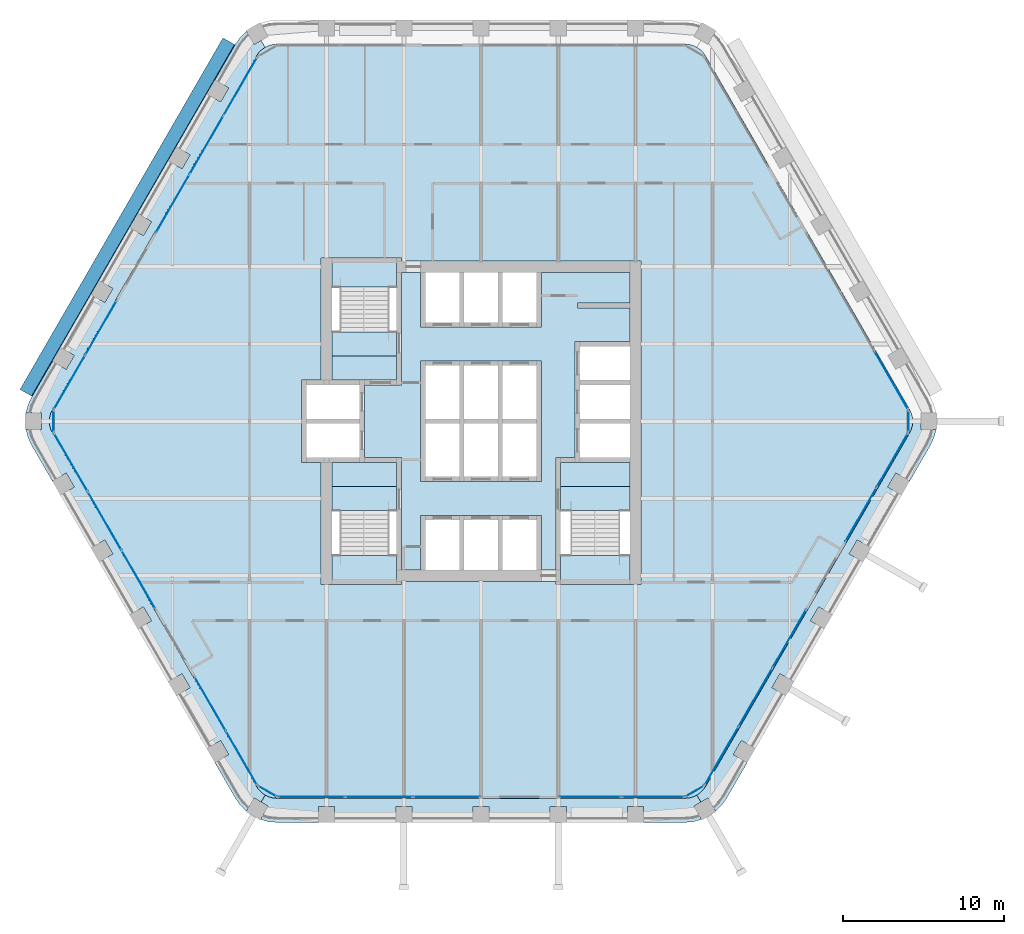
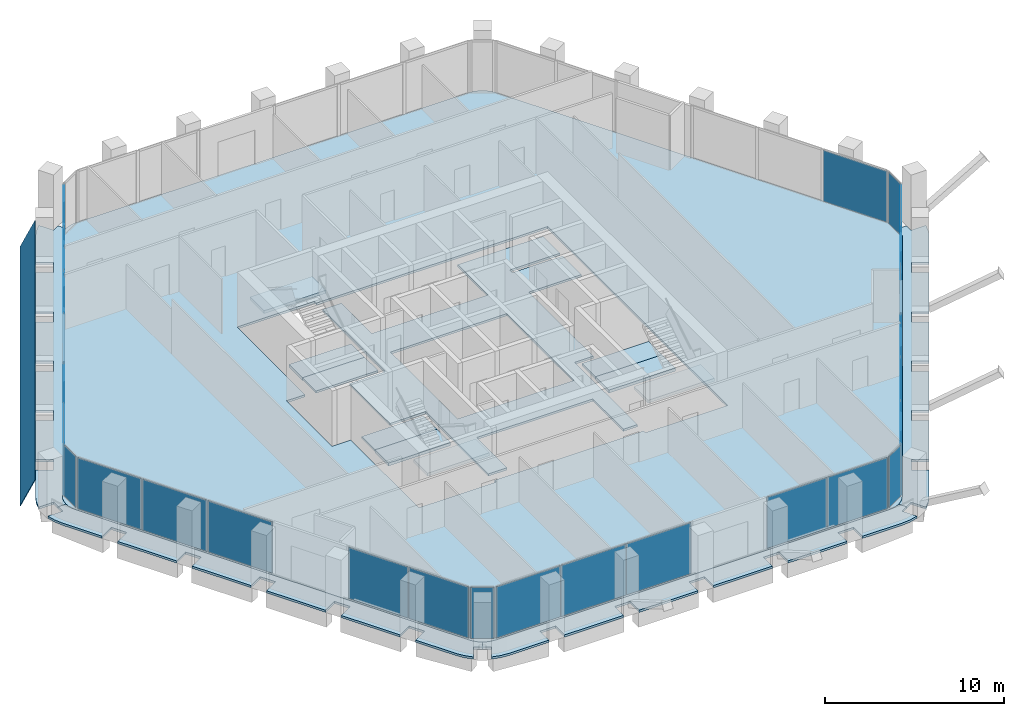
# One storey, part 8 of 16: 26 plates, 15 slabs, 16 elements without a shape of their own.
"""IFC4 building model written with IfcOpenShell, lengths in metres."""

from ifc_helpers import new_model, si_unit, direction, frame, origin, origin_2d, place, context, subcontext, project, spatial, polyline, rectangle, outline, extrude, material, layer, layer_set, type_object, element, aggregate, save


model = new_model("IFC4")

# Units and contexts
model_context = context("Model", 3, precision=1e-05, world=origin(), true_north=direction((0.0, 1.0)))
body_context = subcontext(model_context, "Body", "Model", "MODEL_VIEW")
ifc_project = project(units=[si_unit("LENGTHUNIT", "METRE"), si_unit("AREAUNIT", "SQUARE_METRE"), si_unit("VOLUMEUNIT", "CUBIC_METRE"), si_unit("PLANEANGLEUNIT", "RADIAN"), si_unit("MASSUNIT", "GRAM", prefix="KILO")], contexts=[model_context])

# Site, building, storey
site_placement = place(None, origin())
site = spatial("IfcSite", under=ifc_project, at=site_placement, CompositionType="ELEMENT")
building_placement = place(site_placement, origin())
building = spatial("IfcBuilding", under=site, at=building_placement, Name="Kolab Exchange Tower", CompositionType="ELEMENT")
storey_placement = place(building_placement, frame((0.0, 0.0, 193.39990234375)))
storey = spatial("IfcBuildingStorey", under=building, at=storey_placement, Name="L41", CompositionType="ELEMENT", Elevation=193.39990234375)

# Slabs
ifc_material_1 = material(Name="Concrete C35/45", Category="concrete")
ifc_layer_1 = layer(ifc_material_1, 0.14990234375)
ifc_layer_set_1 = layer_set([ifc_layer_1], Name="Concrete C35/45")
slab_type_1 = type_object("IfcSlabType", Name="FLOOR SLAB 150", PredefinedType="FLOOR", material=ifc_layer_set_1)
slab_1_placement = place(storey_placement, frame((0.0, 0.0, -0.14990234375)))
element("IfcSlab", 1, at=slab_1_placement, inside=storey, type_object=slab_type_1, Name="slab/L41/floor/0", PredefinedType="FLOOR", context=body_context, shape_type="SweptSolid", body=[
    extrude(outline(polyline([(13.967041015625, -22.691650390625), (26.635009765625, -0.75), (26.745361328125, -0.512939453125), (26.81298828125, -0.260498046875), (26.8359375, 0.0), (26.81298828125, 0.260498046875), (26.745361328125, 0.512939453125), (26.635009765625, 0.75), (13.967041015625, 22.691650390625), (13.81689453125, 22.90576171875), (13.632080078125, 23.090576171875), (13.41796875, 23.240478515625), (13.180908203125, 23.35107421875), (12.928466796875, 23.418701171875), (12.66796875, 23.441650390625), (-12.66796875, 23.441650390625), (-12.928466796875, 23.418701171875), (-13.180908203125, 23.35107421875), (-13.41796875, 23.240478515625), (-13.632080078125, 23.090576171875), (-13.81689453125, 22.90576171875), (-13.967041015625, 22.691650390625), (-26.635009765625, 0.75), (-26.745361328125, 0.512939453125), (-26.81298828125, 0.260498046875), (-26.8359375, 0.0), (-26.81298828125, -0.260498046875), (-26.745361328125, -0.512939453125), (-26.635009765625, -0.75), (-13.967041015625, -22.691650390625), (-13.81689453125, -22.90576171875), (-13.632080078125, -23.090576171875), (-13.41796875, -23.240478515625), (-13.180908203125, -23.35107421875), (-12.928466796875, -23.418701171875), (-12.66796875, -23.441650390625), (12.66796875, -23.441650390625), (12.928466796875, -23.418701171875), (13.180908203125, -23.35107421875), (13.41796875, -23.240478515625), (13.632080078125, -23.090576171875), (13.81689453125, -22.90576171875), (13.967041015625, -22.691650390625)]), holes=[polyline([(-9.25, -10.14990234375), (-9.949951171875, -10.14990234375), (-9.949951171875, -2.550048828125), (-10.85009765625, -2.550048828125), (-11.14990234375, -2.550048828125), (-11.14990234375, 2.550048828125), (-10.85009765625, 2.550048828125), (-9.949951171875, 2.550048828125), (-9.949951171875, 10.14990234375), (-9.25, 10.14990234375), (-5.25, 10.14990234375), (-4.949951171875, 10.14990234375), (-4.949951171875, 9.949951171875), (9.25, 9.949951171875), (9.949951171875, 9.949951171875), (9.949951171875, -10.14990234375), (9.25, -10.14990234375), (4.949951171875, -10.14990234375), (4.64990234375, -10.14990234375), (4.64990234375, -9.949951171875), (-4.949951171875, -9.949951171875), (-4.949951171875, -10.14990234375), (-5.25, -10.14990234375), (-9.25, -10.14990234375)])]), origin(), (0.0, 0.0, 1.0), 0.14990234375),
])
slab_2_placement = place(storey_placement, frame((0.0, 0.0, -0.14990234375)))
element("IfcSlab", 2, at=slab_2_placement, inside=storey, type_object=slab_type_1, Name="slab/L41/floor/1", PredefinedType="FLOOR", context=body_context, shape_type="SweptSolid", body=[
    extrude(outline(polyline([(-4.949951171875, 9.25), (-4.949951171875, 2.25), (-5.25, 2.25), (-7.25, 2.25), (-7.25, -2.25), (-5.25, -2.25), (-4.949951171875, -2.25), (-4.949951171875, -9.25), (-3.75, -9.25), (-3.75, -5.85009765625), (-3.449951171875, -5.85009765625), (-1.35009765625, -5.85009765625), (-1.050048828125, -5.85009765625), (1.050048828125, -5.85009765625), (1.35009765625, -5.85009765625), (3.449951171875, -5.85009765625), (3.75, -5.85009765625), (3.75, -9.25), (4.64990234375, -9.25), (4.64990234375, -2.25), (4.949951171875, -2.25), (5.85009765625, -2.25), (5.85009765625, 4.949951171875), (6.14990234375, 4.949951171875), (9.25, 4.949951171875), (9.25, 7.050048828125), (6.0, 7.050048828125), (6.0, 7.35009765625), (9.25, 7.35009765625), (9.25, 9.25), (3.75, 9.25), (3.75, 5.85009765625), (3.449951171875, 5.85009765625), (1.35009765625, 5.85009765625), (1.050048828125, 5.85009765625), (-1.050048828125, 5.85009765625), (-1.35009765625, 5.85009765625), (-3.449951171875, 5.85009765625), (-3.75, 5.85009765625), (-3.75, 9.25), (-4.949951171875, 9.25)]), holes=[polyline([(-3.449951171875, -3.75), (-3.75, -3.75), (-3.75, 3.75), (-3.449951171875, 3.75), (-1.35009765625, 3.75), (-1.050048828125, 3.75), (1.050048828125, 3.75), (1.35009765625, 3.75), (3.449951171875, 3.75), (3.75, 3.75), (3.75, -3.75), (3.449951171875, -3.75), (1.35009765625, -3.75), (1.050048828125, -3.75), (-1.050048828125, -3.75), (-1.35009765625, -3.75), (-3.449951171875, -3.75)])]), origin(), (0.0, 0.0, 1.0), 0.14990234375),
])
slab_3_placement = place(storey_placement, frame((0.0, 0.0, -0.14990234375)))
element("IfcSlab", 3, at=slab_3_placement, inside=storey, type_object=slab_type_1, Name="slab/L41/floor/2", PredefinedType="FLOOR", context=body_context, shape_type="SweptSolid", body=[
    extrude(outline(polyline([(4.949951171875, -4.050048828125), (9.25, -4.050048828125), (9.25, -2.550048828125), (6.14990234375, -2.550048828125), (5.85009765625, -2.550048828125), (4.949951171875, -2.550048828125), (4.949951171875, -4.050048828125)])), origin(), (0.0, 0.0, 1.0), 0.14990234375),
])
slab_4_placement = place(storey_placement, frame((0.0, 0.0, -0.14990234375)))
element("IfcSlab", 4, at=slab_4_placement, inside=storey, type_object=slab_type_1, Name="slab/L41/floor/3", PredefinedType="FLOOR", context=body_context, shape_type="SweptSolid", body=[
    extrude(outline(polyline([(-7.550048828125, -2.550048828125), (-9.25, -2.550048828125), (-9.25, -4.050048828125), (-5.25, -4.050048828125), (-5.25, -2.550048828125), (-7.25, -2.550048828125), (-7.550048828125, -2.550048828125)])), origin(), (0.0, 0.0, 1.0), 0.14990234375),
])
slab_5_placement = place(storey_placement, frame((0.0, 0.0, -0.14990234375)))
element("IfcSlab", 5, at=slab_5_placement, inside=storey, type_object=slab_type_1, Name="slab/L41/floor/4", PredefinedType="FLOOR", context=body_context, shape_type="SweptSolid", body=[
    extrude(outline(polyline([(-9.25, 2.550048828125), (-7.550048828125, 2.550048828125), (-7.25, 2.550048828125), (-5.25, 2.550048828125), (-5.25, 4.050048828125), (-9.25, 4.050048828125), (-9.25, 2.550048828125)])), origin(), (0.0, 0.0, 1.0), 0.14990234375),
])
ifc_layer_2 = layer(ifc_material_1, 0.14990234375)
ifc_layer_set_2 = layer_set([ifc_layer_2], Name="Concrete C35/45")
slab_type_2 = type_object("IfcSlabType", Name="LOGGIA SLAB 150", PredefinedType="FLOOR", material=ifc_layer_set_2)
slab_6_placement = place(storey_placement, frame((0.0, 0.0, -0.14990234375)))
element("IfcSlab", 6, at=slab_6_placement, inside=storey, type_object=slab_type_2, Name="slab/L41/loggia/2-0", PredefinedType="FLOOR", context=body_context, shape_type="SweptSolid", body=[
    extrude(outline(polyline([(15.26611328125, -23.441650390625), (16.550048828125, -21.217529296875), (15.68408203125, -20.717529296875), (16.18408203125, -19.8515625), (17.050048828125, -20.3515625), (18.949951171875, -17.060791015625), (18.083984375, -16.560791015625), (18.583984375, -15.694580078125), (19.449951171875, -16.194580078125), (21.35009765625, -12.90380859375), (20.48388671875, -12.40380859375), (20.98388671875, -11.537841796875), (21.85009765625, -12.037841796875), (23.75, -8.746826171875), (22.884033203125, -8.246826171875), (23.384033203125, -7.380859375), (24.25, -7.880859375), (26.14990234375, -4.58984375), (25.283935546875, -4.08984375), (25.783935546875, -3.223876953125), (26.64990234375, -3.723876953125), (27.93408203125, -1.5), (28.155029296875, -1.026123046875), (28.290283203125, -0.52099609375), (28.292236328125, -0.5), (27.3359375, -0.5), (27.3359375, 0.0), (26.8359375, 0.0), (26.81298828125, -0.260498046875), (26.745361328125, -0.512939453125), (26.635009765625, -0.75), (13.967041015625, -22.691650390625), (13.81689453125, -22.90576171875), (13.632080078125, -23.090576171875), (13.41796875, -23.240478515625), (13.66796875, -23.673583984375), (14.10107421875, -23.423583984375), (14.5791015625, -24.251708984375), (14.59619140625, -24.23974609375), (14.966064453125, -23.869873046875), (15.26611328125, -23.441650390625)])), origin(), (0.0, 0.0, 1.0), 0.14990234375),
])
slab_7_placement = place(storey_placement, frame((0.0, 0.0, -0.14990234375)))
element("IfcSlab", 7, at=slab_7_placement, inside=storey, type_object=slab_type_2, Name="slab/L41/loggia/3-0", PredefinedType="FLOOR", context=body_context, shape_type="SweptSolid", body=[
    extrude(outline(polyline([(-13.41796875, -23.240478515625), (-13.66796875, -23.673583984375), (-13.23486328125, -23.923583984375), (-13.713134765625, -24.751708984375), (-13.694091796875, -24.760498046875), (-13.18896484375, -24.89599609375), (-12.66796875, -24.941650390625), (-10.10009765625, -24.941650390625), (-10.10009765625, -23.941650390625), (-9.10009765625, -23.941650390625), (-9.10009765625, -24.941650390625), (-5.300048828125, -24.941650390625), (-5.300048828125, -23.941650390625), (-4.300048828125, -23.941650390625), (-4.300048828125, -24.941650390625), (-0.5, -24.941650390625), (-0.5, -23.941650390625), (0.5, -23.941650390625), (0.5, -24.941650390625), (4.300048828125, -24.941650390625), (4.300048828125, -23.941650390625), (5.300048828125, -23.941650390625), (5.300048828125, -24.941650390625), (9.10009765625, -24.941650390625), (9.10009765625, -23.941650390625), (10.10009765625, -23.941650390625), (10.10009765625, -24.941650390625), (12.66796875, -24.941650390625), (13.18896484375, -24.89599609375), (13.694091796875, -24.760498046875), (13.713134765625, -24.751708984375), (13.23486328125, -23.923583984375), (13.66796875, -23.673583984375), (13.41796875, -23.240478515625), (13.180908203125, -23.35107421875), (12.928466796875, -23.418701171875), (12.66796875, -23.441650390625), (-12.66796875, -23.441650390625), (-12.928466796875, -23.418701171875), (-13.180908203125, -23.35107421875), (-13.41796875, -23.240478515625)])), origin(), (0.0, 0.0, 1.0), 0.14990234375),
])
slab_8_placement = place(storey_placement, frame((0.0, 0.0, -0.14990234375)))
element("IfcSlab", 8, at=slab_8_placement, inside=storey, type_object=slab_type_2, Name="slab/L41/loggia/4-0", PredefinedType="FLOOR", context=body_context, shape_type="SweptSolid", body=[
    extrude(outline(polyline([(-26.8359375, 0.0), (-27.3359375, 0.0), (-27.3359375, -0.5), (-28.292236328125, -0.5), (-28.290283203125, -0.52099609375), (-28.155029296875, -1.026123046875), (-27.93408203125, -1.5), (-26.64990234375, -3.723876953125), (-25.783935546875, -3.223876953125), (-25.283935546875, -4.08984375), (-26.14990234375, -4.58984375), (-24.25, -7.880859375), (-23.384033203125, -7.380859375), (-22.884033203125, -8.246826171875), (-23.75, -8.746826171875), (-21.85009765625, -12.037841796875), (-20.98388671875, -11.537841796875), (-20.48388671875, -12.40380859375), (-21.35009765625, -12.90380859375), (-19.449951171875, -16.194580078125), (-18.583984375, -15.694580078125), (-18.083984375, -16.560791015625), (-18.949951171875, -17.060791015625), (-17.050048828125, -20.3515625), (-16.18408203125, -19.8515625), (-15.68408203125, -20.717529296875), (-16.550048828125, -21.217529296875), (-15.26611328125, -23.441650390625), (-14.966064453125, -23.869873046875), (-14.59619140625, -24.23974609375), (-14.5791015625, -24.251708984375), (-14.10107421875, -23.423583984375), (-13.66796875, -23.673583984375), (-13.41796875, -23.240478515625), (-13.632080078125, -23.090576171875), (-13.81689453125, -22.90576171875), (-13.967041015625, -22.691650390625), (-26.635009765625, -0.75), (-26.745361328125, -0.512939453125), (-26.81298828125, -0.260498046875), (-26.8359375, 0.0)])), origin(), (0.0, 0.0, 1.0), 0.14990234375),
])
slab_9_placement = place(storey_placement, frame((0.0, 0.0, -0.14990234375)))
element("IfcSlab", 9, at=slab_9_placement, inside=storey, type_object=slab_type_2, Name="slab/L41/loggia/5-0", PredefinedType="FLOOR", context=body_context, shape_type="SweptSolid", body=[
    extrude(outline(polyline([(-13.41796875, 23.240478515625), (-13.66796875, 23.673583984375), (-14.10107421875, 23.423583984375), (-14.5791015625, 24.251708984375), (-14.59619140625, 24.23974609375), (-14.966064453125, 23.869873046875), (-15.26611328125, 23.441650390625), (-16.550048828125, 21.217529296875), (-15.68408203125, 20.717529296875), (-16.18408203125, 19.8515625), (-17.050048828125, 20.3515625), (-18.949951171875, 17.060791015625), (-18.083984375, 16.560791015625), (-18.583984375, 15.694580078125), (-19.449951171875, 16.194580078125), (-21.35009765625, 12.90380859375), (-20.48388671875, 12.40380859375), (-20.98388671875, 11.537841796875), (-21.85009765625, 12.037841796875), (-23.75, 8.746826171875), (-22.884033203125, 8.246826171875), (-23.384033203125, 7.380859375), (-24.25, 7.880859375), (-26.14990234375, 4.58984375), (-25.283935546875, 4.08984375), (-25.783935546875, 3.223876953125), (-26.64990234375, 3.723876953125), (-27.93408203125, 1.5), (-28.155029296875, 1.026123046875), (-28.290283203125, 0.52099609375), (-28.292236328125, 0.5), (-27.3359375, 0.5), (-27.3359375, 0.0), (-26.8359375, 0.0), (-26.81298828125, 0.260498046875), (-26.745361328125, 0.512939453125), (-26.635009765625, 0.75), (-13.967041015625, 22.691650390625), (-13.81689453125, 22.90576171875), (-13.632080078125, 23.090576171875), (-13.41796875, 23.240478515625)])), origin(), (0.0, 0.0, 1.0), 0.14990234375),
])

# Plate
ifc_material_2 = material(Name="Laminated glass, clear", Category="glass")
ifc_layer_3 = layer(ifc_material_2, 0.0400390625)
ifc_layer_set_3 = layer_set([ifc_layer_3], Name="Laminated glass, clear")
plate_type_1 = type_object("IfcPlateType", Name="OUTER SKIN LAMINATED GLASS SHEET 40", PredefinedType="SHEET", material=ifc_layer_set_3)
plate_1_placement = place(storey_placement, frame((-28.658203125, 1.975830078125, -0.68310546875), z_axis=(-0.784898656704, 0.453161865271, 0.422585402693), x_axis=(0.499999968995, 0.866025421685, -9.26315e-07)))
element("IfcPlate", 10, at=plate_1_placement, inside=storey, type_object=plate_type_1, Name="Outer skin", PredefinedType="SHEET", context=body_context, shape_type="SweptSolid", body=[
    extrude(outline(polyline([(0.0, 0.0), (25.23592824607872, 0.0), (25.23580178082614, -1.96134386267648), (8.496673513263058e-05, -1.9612922777250188), (0.0, 0.0)])), origin(), (0.0, 0.0, -1.0), 0.0400390625),
])

# Stair, slabs
ifc_material_3 = material(Name="Concrete C50/60", Category="concrete")
stair_type_1 = type_object("IfcStairType", Name="STAIR ST1 RISER 177.3", PredefinedType="HALF_TURN_STAIR", material=ifc_material_3)
stair_1_placement = place(storey_placement, origin())
stair_1 = element("IfcStair", 11, at=stair_1_placement, inside=storey, type_object=stair_type_1, Name="Stair 1", PredefinedType="HALF_TURN_STAIR")
ifc_layer_4 = layer(ifc_material_3, 0.199951171875)
ifc_layer_set_4 = layer_set([ifc_layer_4], Name="Concrete C50/60")
slab_type_3 = type_object("IfcSlabType", Name="STAIR LANDING 200", PredefinedType="LANDING", material=ifc_layer_set_4)
slab_10_placement = place(storey_placement, frame((0.0, 0.0, -0.199951171875)))
slab_10 = element("IfcSlab", 12, at=slab_10_placement, type_object=slab_type_3, Name="ST1 landing 1", PredefinedType="LANDING", context=body_context, shape_type="SweptSolid", body=[
    extrude(outline(polyline([(-9.25, 4.050048828125), (-5.25, 4.050048828125), (-5.25, 5.550048828125), (-9.25, 5.550048828125), (-9.25, 4.050048828125)])), origin(), (0.0, 0.0, 1.0), 0.199951171875),
])
slab_11_placement = place(storey_placement, frame((0.0, 0.0, 1.75)))
slab_11 = element("IfcSlab", 13, at=slab_11_placement, type_object=slab_type_3, Name="ST1 landing 2", PredefinedType="LANDING", context=body_context, shape_type="SweptSolid", body=[
    extrude(outline(polyline([(-9.25, 8.35009765625), (-5.25, 8.35009765625), (-5.25, 9.909912109375), (-9.25, 9.909912109375), (-9.25, 8.35009765625)])), origin(), (0.0, 0.0, 1.0), 0.2001953125),
])
aggregate(stair_1, [slab_10, slab_11])

stair_type_2 = type_object("IfcStairType", Name="STAIR ST3 RISER 177.3", PredefinedType="HALF_TURN_STAIR", material=ifc_material_3)
stair_2_placement = place(storey_placement, origin())
stair_2 = element("IfcStair", 14, at=stair_2_placement, inside=storey, type_object=stair_type_2, Name="Stair 3", PredefinedType="HALF_TURN_STAIR")
slab_12_placement = place(storey_placement, frame((0.0, 0.0, -0.199951171875)))
slab_12 = element("IfcSlab", 15, at=slab_12_placement, type_object=slab_type_3, Name="ST3 landing 1", PredefinedType="LANDING", context=body_context, shape_type="SweptSolid", body=[
    extrude(outline(polyline([(-9.25, -5.550048828125), (-5.25, -5.550048828125), (-5.25, -4.050048828125), (-9.25, -4.050048828125), (-9.25, -5.550048828125)])), origin(), (0.0, 0.0, 1.0), 0.199951171875),
])
slab_13_placement = place(storey_placement, frame((0.0, 0.0, 1.75)))
slab_13 = element("IfcSlab", 16, at=slab_13_placement, type_object=slab_type_3, Name="ST3 landing 2", PredefinedType="LANDING", context=body_context, shape_type="SweptSolid", body=[
    extrude(outline(polyline([(-9.25, -9.909912109375), (-5.25, -9.909912109375), (-5.25, -8.35009765625), (-9.25, -8.35009765625), (-9.25, -9.909912109375)])), origin(), (0.0, 0.0, 1.0), 0.2001953125),
])
aggregate(stair_2, [slab_12, slab_13])

stair_type_3 = type_object("IfcStairType", Name="STAIR ST2 RISER 177.3", PredefinedType="HALF_TURN_STAIR", material=ifc_material_3)
stair_3_placement = place(storey_placement, origin())
stair_3 = element("IfcStair", 17, at=stair_3_placement, inside=storey, type_object=stair_type_3, Name="Stair 2", PredefinedType="HALF_TURN_STAIR")
slab_14_placement = place(storey_placement, frame((0.0, 0.0, -0.199951171875)))
slab_14 = element("IfcSlab", 18, at=slab_14_placement, type_object=slab_type_3, Name="ST2 landing 1", PredefinedType="LANDING", context=body_context, shape_type="SweptSolid", body=[
    extrude(outline(polyline([(4.949951171875, -5.550048828125), (9.25, -5.550048828125), (9.25, -4.050048828125), (4.949951171875, -4.050048828125), (4.949951171875, -5.550048828125)])), origin(), (0.0, 0.0, 1.0), 0.199951171875),
])
slab_15_placement = place(storey_placement, frame((0.0, 0.0, 1.75)))
slab_15 = element("IfcSlab", 19, at=slab_15_placement, type_object=slab_type_3, Name="ST2 landing 2", PredefinedType="LANDING", context=body_context, shape_type="SweptSolid", body=[
    extrude(outline(polyline([(4.949951171875, -9.909912109375), (9.25, -9.909912109375), (9.25, -8.35009765625), (4.949951171875, -8.35009765625), (4.949951171875, -9.909912109375)])), origin(), (0.0, 0.0, 1.0), 0.2001953125),
])
aggregate(stair_3, [slab_14, slab_15])

# Curtain wall, plate
ifc_material_4 = material(Name="Aluminium EN AW-6063 T6", Category="aluminium")
curtain_wall_type = type_object("IfcCurtainWallType", Name="UNITISED UPPER MID ZONE CURTAIN WALL", PredefinedType="NOTDEFINED", material=ifc_material_4)
curtain_wall_1_placement = place(storey_placement, origin())
curtain_wall_1 = element("IfcCurtainWall", 20, at=curtain_wall_1_placement, inside=storey, type_object=curtain_wall_type, Name="cw/L41/F2-2", PredefinedType="NOTDEFINED")
ifc_material_5 = material(Name="Clear insulated glazing unit", Category="glass")
ifc_layer_5 = layer(ifc_material_5, 0.028076171875)
ifc_layer_set_5 = layer_set([ifc_layer_5], Name="Clear insulated glazing unit")
plate_type_2 = type_object("IfcPlateType", Name="UNITISED UPPER MID ZONE GLASS PANEL 28", PredefinedType="CURTAIN_PANEL", material=ifc_layer_set_5)
plate_2_placement = place(storey_placement, frame((25.50244140625, 2.551513671875, 0.06005859375), z_axis=(0.0, 0.0, 1.0), x_axis=(0.499999958358, -0.866025427826, 0.0)))
plate_2 = element("IfcPlate", 21, at=plate_2_placement, type_object=plate_type_2, Name="CW3 panel 3.1", PredefinedType="CURTAIN_PANEL", context=body_context, shape_type="SweptSolid", body=[
    extrude(rectangle(XDim=4.132568359375, YDim=0.028076171875, at=origin_2d()), origin(), (0.0, 0.0, 1.0), 3.47998046875),
])
aggregate(curtain_wall_1, [plate_2])

# Curtain wall, plates
curtain_wall_2_placement = place(storey_placement, origin())
curtain_wall_2 = element("IfcCurtainWall", 22, at=curtain_wall_2_placement, inside=storey, type_object=curtain_wall_type, Name="cw/L41/F3-1", PredefinedType="NOTDEFINED")
plate_3_placement = place(storey_placement, frame((25.57470703125, -2.426513671875, 0.06005859375), z_axis=(0.0, 0.0, 1.0), x_axis=(-0.499999936366, -0.866025440524, 0.0)))
plate_3 = element("IfcPlate", 23, at=plate_3_placement, type_object=plate_type_2, Name="CW3 panel 1.1", PredefinedType="CURTAIN_PANEL", context=body_context, shape_type="SweptSolid", body=[
    extrude(rectangle(XDim=3.843994140625, YDim=0.028076171875, at=origin_2d()), origin(), (0.0, 0.0, 1.0), 3.47998046875),
])
plate_4_placement = place(storey_placement, frame((23.62255859375, -5.807373046875, 0.06005859375), z_axis=(0.0, 0.0, 1.0), x_axis=(-0.499999936366, -0.866025440524, 0.0)))
plate_4 = element("IfcPlate", 24, at=plate_4_placement, type_object=plate_type_2, Name="CW3 panel 2.1", PredefinedType="CURTAIN_PANEL", context=body_context, shape_type="SweptSolid", body=[
    extrude(rectangle(XDim=3.843994140625, YDim=0.028076171875, at=origin_2d()), origin(), (0.0, 0.0, 1.0), 3.47998046875),
])
aggregate(curtain_wall_2, [plate_3, plate_4])

curtain_wall_3_placement = place(storey_placement, origin())
curtain_wall_3 = element("IfcCurtainWall", 25, at=curtain_wall_3_placement, inside=storey, type_object=curtain_wall_type, Name="cw/L41/F3-2", PredefinedType="NOTDEFINED")
plate_5_placement = place(storey_placement, frame((19.16845703125, -13.522216796875, 0.06005859375), z_axis=(0.0, 0.0, 1.0), x_axis=(-0.500000017564, -0.866025393644, 0.0)))
plate_5 = element("IfcPlate", 26, at=plate_5_placement, type_object=plate_type_2, Name="CW3 panel 1.1", PredefinedType="CURTAIN_PANEL", context=body_context, shape_type="SweptSolid", body=[
    extrude(rectangle(XDim=4.132568359375, YDim=0.028076171875, at=origin_2d()), origin(), (0.0, 0.0, 1.0), 3.47998046875),
])
plate_6_placement = place(storey_placement, frame((17.064697265625, -17.166259765625, 0.06005859375), z_axis=(0.0, 0.0, 1.0), x_axis=(-0.500000017564, -0.866025393644, 0.0)))
plate_6 = element("IfcPlate", 27, at=plate_6_placement, type_object=plate_type_2, Name="CW3 panel 2.1", PredefinedType="CURTAIN_PANEL", context=body_context, shape_type="SweptSolid", body=[
    extrude(rectangle(XDim=4.16259765625, YDim=0.028076171875, at=origin_2d()), origin(), (0.0, 0.0, 1.0), 3.47998046875),
])
plate_7_placement = place(storey_placement, frame((14.9609375, -20.81005859375, 0.06005859375), z_axis=(0.0, 0.0, 1.0), x_axis=(-0.500000017564, -0.866025393644, 0.0)))
plate_7 = element("IfcPlate", 28, at=plate_7_placement, type_object=plate_type_2, Name="CW3 panel 3.1", PredefinedType="CURTAIN_PANEL", context=body_context, shape_type="SweptSolid", body=[
    extrude(rectangle(XDim=4.132568359375, YDim=0.028076171875, at=origin_2d()), origin(), (0.0, 0.0, 1.0), 3.47998046875),
])
aggregate(curtain_wall_3, [plate_5, plate_6, plate_7])

curtain_wall_4_placement = place(storey_placement, origin())
curtain_wall_4 = element("IfcCurtainWall", 29, at=curtain_wall_4_placement, inside=storey, type_object=curtain_wall_type, Name="cw/L41/F4-1", PredefinedType="NOTDEFINED")
plate_8_placement = place(storey_placement, frame((10.68603515625, -23.361572265625, 0.06005859375), z_axis=(0.0, 0.0, 1.0), x_axis=(-1.0, 0.0, 0.0)))
plate_8 = element("IfcPlate", 30, at=plate_8_placement, type_object=plate_type_2, Name="CW3 panel 1.1", PredefinedType="CURTAIN_PANEL", context=body_context, shape_type="SweptSolid", body=[
    extrude(rectangle(XDim=3.843994140625, YDim=0.028076171875, at=origin_2d()), origin(), (0.0, 0.0, 1.0), 3.47998046875),
])
plate_9_placement = place(storey_placement, frame((6.781982421875, -23.361572265625, 0.06005859375), z_axis=(0.0, 0.0, 1.0), x_axis=(-1.0, 0.0, 0.0)))
plate_9 = element("IfcPlate", 31, at=plate_9_placement, type_object=plate_type_2, Name="CW3 panel 2.1", PredefinedType="CURTAIN_PANEL", context=body_context, shape_type="SweptSolid", body=[
    extrude(rectangle(XDim=3.843994140625, YDim=0.028076171875, at=origin_2d()), origin(), (0.0, 0.0, 1.0), 3.47998046875),
])
aggregate(curtain_wall_4, [plate_8, plate_9])

curtain_wall_5_placement = place(storey_placement, origin())
curtain_wall_5 = element("IfcCurtainWall", 32, at=curtain_wall_5_placement, inside=storey, type_object=curtain_wall_type, Name="cw/L41/F4-2", PredefinedType="NOTDEFINED")
plate_10_placement = place(storey_placement, frame((-2.126220703125, -23.361572265625, 0.06005859375), z_axis=(0.0, 0.0, 1.0), x_axis=(-1.0, 0.0, 0.0)))
plate_10 = element("IfcPlate", 33, at=plate_10_placement, type_object=plate_type_2, Name="CW3 panel 1.1", PredefinedType="CURTAIN_PANEL", context=body_context, shape_type="SweptSolid", body=[
    extrude(rectangle(XDim=4.132568359375, YDim=0.028076171875, at=origin_2d()), origin(), (0.0, 0.0, 1.0), 3.47998046875),
])
plate_11_placement = place(storey_placement, frame((-6.333984375, -23.361572265625, 0.06005859375), z_axis=(0.0, 0.0, 1.0), x_axis=(-1.0, 0.0, 0.0)))
plate_11 = element("IfcPlate", 34, at=plate_11_placement, type_object=plate_type_2, Name="CW3 panel 2.1", PredefinedType="CURTAIN_PANEL", context=body_context, shape_type="SweptSolid", body=[
    extrude(rectangle(XDim=4.16259765625, YDim=0.028076171875, at=origin_2d()), origin(), (0.0, 0.0, 1.0), 3.47998046875),
])
plate_12_placement = place(storey_placement, frame((-10.54150390625, -23.361572265625, 0.06005859375), z_axis=(0.0, 0.0, 1.0), x_axis=(-1.0, 0.0, 0.0)))
plate_12 = element("IfcPlate", 35, at=plate_12_placement, type_object=plate_type_2, Name="CW3 panel 3.1", PredefinedType="CURTAIN_PANEL", context=body_context, shape_type="SweptSolid", body=[
    extrude(rectangle(XDim=4.132568359375, YDim=0.028076171875, at=origin_2d()), origin(), (0.0, 0.0, 1.0), 3.47998046875),
])
aggregate(curtain_wall_5, [plate_10, plate_11, plate_12])

curtain_wall_6_placement = place(storey_placement, origin())
curtain_wall_6 = element("IfcCurtainWall", 36, at=curtain_wall_6_placement, inside=storey, type_object=curtain_wall_type, Name="cw/L41/F5-1", PredefinedType="NOTDEFINED")
plate_13_placement = place(storey_placement, frame((-14.888671875, -20.93505859375, 0.06005859375), z_axis=(0.0, 0.0, 1.0), x_axis=(-0.500000031681, 0.866025385493, 0.0)))
plate_13 = element("IfcPlate", 37, at=plate_13_placement, type_object=plate_type_2, Name="CW3 panel 1.1", PredefinedType="CURTAIN_PANEL", context=body_context, shape_type="SweptSolid", body=[
    extrude(rectangle(XDim=3.843994140625, YDim=0.028076171875, at=origin_2d()), origin(), (0.0, 0.0, 1.0), 3.47998046875),
])
plate_14_placement = place(storey_placement, frame((-16.840576171875, -17.55419921875, 0.06005859375), z_axis=(0.0, 0.0, 1.0), x_axis=(-0.500000031681, 0.866025385493, 0.0)))
plate_14 = element("IfcPlate", 38, at=plate_14_placement, type_object=plate_type_2, Name="CW3 panel 2.1", PredefinedType="CURTAIN_PANEL", context=body_context, shape_type="SweptSolid", body=[
    extrude(rectangle(XDim=3.843994140625, YDim=0.028076171875, at=origin_2d()), origin(), (0.0, 0.0, 1.0), 3.47998046875),
])
aggregate(curtain_wall_6, [plate_13, plate_14])

curtain_wall_7_placement = place(storey_placement, origin())
curtain_wall_7 = element("IfcCurtainWall", 39, at=curtain_wall_7_placement, inside=storey, type_object=curtain_wall_type, Name="cw/L41/F5-2", PredefinedType="NOTDEFINED")
plate_15_placement = place(storey_placement, frame((-21.294921875, -9.83935546875, 0.06005859375), z_axis=(0.0, 0.0, 1.0), x_axis=(-0.499999958358, 0.866025427826, 0.0)))
plate_15 = element("IfcPlate", 40, at=plate_15_placement, type_object=plate_type_2, Name="CW3 panel 1.1", PredefinedType="CURTAIN_PANEL", context=body_context, shape_type="SweptSolid", body=[
    extrude(rectangle(XDim=4.132568359375, YDim=0.028076171875, at=origin_2d()), origin(), (0.0, 0.0, 1.0), 3.47998046875),
])
plate_16_placement = place(storey_placement, frame((-23.398681640625, -6.1953125, 0.06005859375), z_axis=(0.0, 0.0, 1.0), x_axis=(-0.499999958358, 0.866025427826, 0.0)))
plate_16 = element("IfcPlate", 41, at=plate_16_placement, type_object=plate_type_2, Name="CW3 panel 2.1", PredefinedType="CURTAIN_PANEL", context=body_context, shape_type="SweptSolid", body=[
    extrude(rectangle(XDim=4.16259765625, YDim=0.028076171875, at=origin_2d()), origin(), (0.0, 0.0, 1.0), 3.47998046875),
])
plate_17_placement = place(storey_placement, frame((-25.50244140625, -2.551513671875, 0.06005859375), z_axis=(0.0, 0.0, 1.0), x_axis=(-0.499999958358, 0.866025427826, 0.0)))
plate_17 = element("IfcPlate", 42, at=plate_17_placement, type_object=plate_type_2, Name="CW3 panel 3.1", PredefinedType="CURTAIN_PANEL", context=body_context, shape_type="SweptSolid", body=[
    extrude(rectangle(XDim=4.132568359375, YDim=0.028076171875, at=origin_2d()), origin(), (0.0, 0.0, 1.0), 3.47998046875),
])
aggregate(curtain_wall_7, [plate_15, plate_16, plate_17])

curtain_wall_8_placement = place(storey_placement, origin())
curtain_wall_8 = element("IfcCurtainWall", 43, at=curtain_wall_8_placement, inside=storey, type_object=curtain_wall_type, Name="cw/L41/F6-1", PredefinedType="NOTDEFINED")
plate_18_placement = place(storey_placement, frame((-25.57470703125, 2.426513671875, 0.06005859375), z_axis=(0.0, 0.0, 1.0), x_axis=(0.499999936366, 0.866025440524, 0.0)))
plate_18 = element("IfcPlate", 44, at=plate_18_placement, type_object=plate_type_2, Name="CW3 panel 1.1", PredefinedType="CURTAIN_PANEL", context=body_context, shape_type="SweptSolid", body=[
    extrude(rectangle(XDim=3.843994140625, YDim=0.028076171875, at=origin_2d()), origin(), (0.0, 0.0, 1.0), 3.47998046875),
])
plate_19_placement = place(storey_placement, frame((-23.62255859375, 5.807373046875, 0.06005859375), z_axis=(0.0, 0.0, 1.0), x_axis=(0.499999936366, 0.866025440524, 0.0)))
plate_19 = element("IfcPlate", 45, at=plate_19_placement, type_object=plate_type_2, Name="CW3 panel 2.1", PredefinedType="CURTAIN_PANEL", context=body_context, shape_type="SweptSolid", body=[
    extrude(rectangle(XDim=3.843994140625, YDim=0.028076171875, at=origin_2d()), origin(), (0.0, 0.0, 1.0), 3.47998046875),
])
aggregate(curtain_wall_8, [plate_18, plate_19])

curtain_wall_9_placement = place(storey_placement, origin())
curtain_wall_9 = element("IfcCurtainWall", 46, at=curtain_wall_9_placement, inside=storey, type_object=curtain_wall_type, Name="cw/L41/F6-2", PredefinedType="NOTDEFINED")
plate_20_placement = place(storey_placement, frame((-19.16845703125, 13.522216796875, 0.06005859375), z_axis=(0.0, 0.0, 1.0), x_axis=(0.500000017564, 0.866025393644, 0.0)))
plate_20 = element("IfcPlate", 47, at=plate_20_placement, type_object=plate_type_2, Name="CW3 panel 1.1", PredefinedType="CURTAIN_PANEL", context=body_context, shape_type="SweptSolid", body=[
    extrude(rectangle(XDim=4.132568359375, YDim=0.028076171875, at=origin_2d()), origin(), (0.0, 0.0, 1.0), 3.47998046875),
])
plate_21_placement = place(storey_placement, frame((-17.064697265625, 17.166259765625, 0.06005859375), z_axis=(0.0, 0.0, 1.0), x_axis=(0.500000017564, 0.866025393644, 0.0)))
plate_21 = element("IfcPlate", 48, at=plate_21_placement, type_object=plate_type_2, Name="CW3 panel 2.1", PredefinedType="CURTAIN_PANEL", context=body_context, shape_type="SweptSolid", body=[
    extrude(rectangle(XDim=4.16259765625, YDim=0.028076171875, at=origin_2d()), origin(), (0.0, 0.0, 1.0), 3.47998046875),
])
plate_22_placement = place(storey_placement, frame((-14.9609375, 20.81005859375, 0.06005859375), z_axis=(0.0, 0.0, 1.0), x_axis=(0.500000017564, 0.866025393644, 0.0)))
plate_22 = element("IfcPlate", 49, at=plate_22_placement, type_object=plate_type_2, Name="CW3 panel 3.1", PredefinedType="CURTAIN_PANEL", context=body_context, shape_type="SweptSolid", body=[
    extrude(rectangle(XDim=4.132568359375, YDim=0.028076171875, at=origin_2d()), origin(), (0.0, 0.0, 1.0), 3.47998046875),
])
aggregate(curtain_wall_9, [plate_20, plate_21, plate_22])

# Curtain wall, plate
curtain_wall_10_placement = place(storey_placement, origin())
curtain_wall_10 = element("IfcCurtainWall", 50, at=curtain_wall_10_placement, inside=storey, type_object=curtain_wall_type, Name="cw/L41/F2F3-corner", PredefinedType="NOTDEFINED")
plate_23_placement = place(storey_placement, frame((26.565673828125, 0.0, 0.06005859375), z_axis=(0.0, 0.0, 1.0), x_axis=(0.0, -1.0, 0.0)))
plate_23 = element("IfcPlate", 51, at=plate_23_placement, type_object=plate_type_2, Name="CW3 panel 1.1", PredefinedType="CURTAIN_PANEL", context=body_context, shape_type="SweptSolid", body=[
    extrude(rectangle(XDim=1.300048828125, YDim=0.028076171875, at=origin_2d()), origin(), (0.0, 0.0, 1.0), 3.47998046875),
])
aggregate(curtain_wall_10, [plate_23])

curtain_wall_11_placement = place(storey_placement, origin())
curtain_wall_11 = element("IfcCurtainWall", 52, at=curtain_wall_11_placement, inside=storey, type_object=curtain_wall_type, Name="cw/L41/F3F4-corner", PredefinedType="NOTDEFINED")
plate_24_placement = place(storey_placement, frame((13.28271484375, -23.006591796875, 0.06005859375), z_axis=(0.0, 0.0, 1.0), x_axis=(-0.866025390869, -0.50000002237, 0.0)))
plate_24 = element("IfcPlate", 53, at=plate_24_placement, type_object=plate_type_2, Name="CW3 panel 1.1", PredefinedType="CURTAIN_PANEL", context=body_context, shape_type="SweptSolid", body=[
    extrude(rectangle(XDim=1.300048828125, YDim=0.028076171875, at=origin_2d()), origin(), (0.0, 0.0, 1.0), 3.47998046875),
])
aggregate(curtain_wall_11, [plate_24])

curtain_wall_12_placement = place(storey_placement, origin())
curtain_wall_12 = element("IfcCurtainWall", 54, at=curtain_wall_12_placement, inside=storey, type_object=curtain_wall_type, Name="cw/L41/F4F5-corner", PredefinedType="NOTDEFINED")
plate_25_placement = place(storey_placement, frame((-13.28271484375, -23.006591796875, 0.06005859375), z_axis=(0.0, 0.0, 1.0), x_axis=(-0.866025390869, 0.50000002237, 0.0)))
plate_25 = element("IfcPlate", 55, at=plate_25_placement, type_object=plate_type_2, Name="CW3 panel 1.1", PredefinedType="CURTAIN_PANEL", context=body_context, shape_type="SweptSolid", body=[
    extrude(rectangle(XDim=1.300048828125, YDim=0.028076171875, at=origin_2d()), origin(), (0.0, 0.0, 1.0), 3.47998046875),
])
aggregate(curtain_wall_12, [plate_25])

curtain_wall_13_placement = place(storey_placement, origin())
curtain_wall_13 = element("IfcCurtainWall", 56, at=curtain_wall_13_placement, inside=storey, type_object=curtain_wall_type, Name="cw/L41/F5F6-corner", PredefinedType="NOTDEFINED")
plate_26_placement = place(storey_placement, frame((-26.565673828125, 0.0, 0.06005859375), z_axis=(0.0, 0.0, 1.0), x_axis=(0.0, 1.0, 0.0)))
plate_26 = element("IfcPlate", 57, at=plate_26_placement, type_object=plate_type_2, Name="CW3 panel 1.1", PredefinedType="CURTAIN_PANEL", context=body_context, shape_type="SweptSolid", body=[
    extrude(rectangle(XDim=1.300048828125, YDim=0.028076171875, at=origin_2d()), origin(), (0.0, 0.0, 1.0), 3.47998046875),
])
aggregate(curtain_wall_13, [plate_26])

save(model, "model.ifc")
